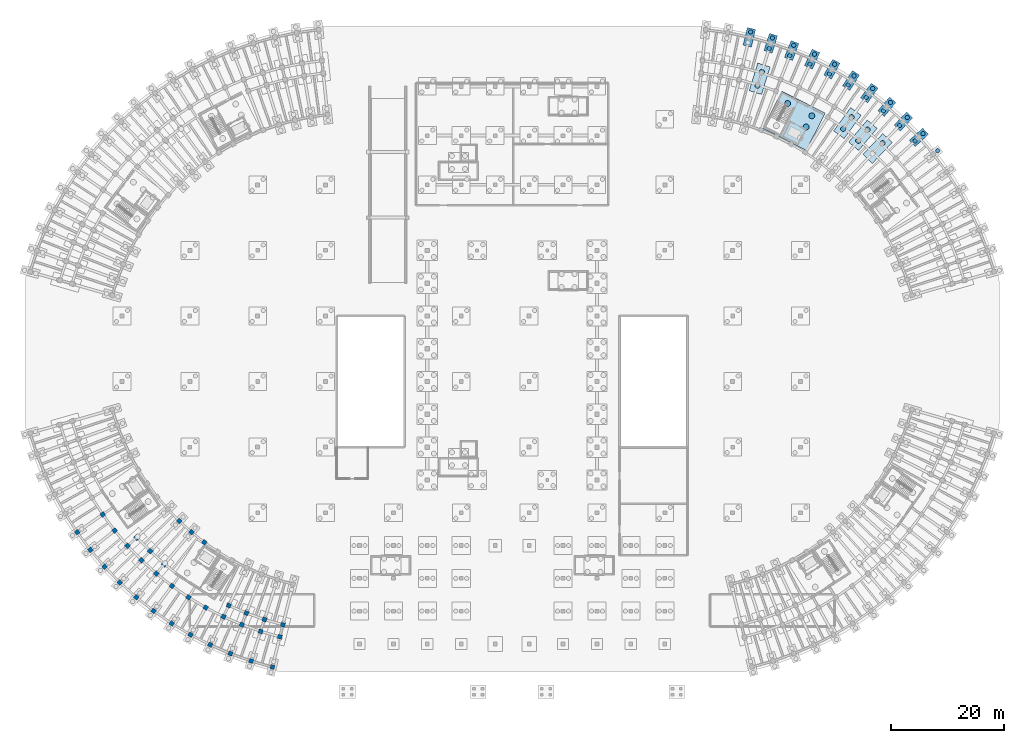
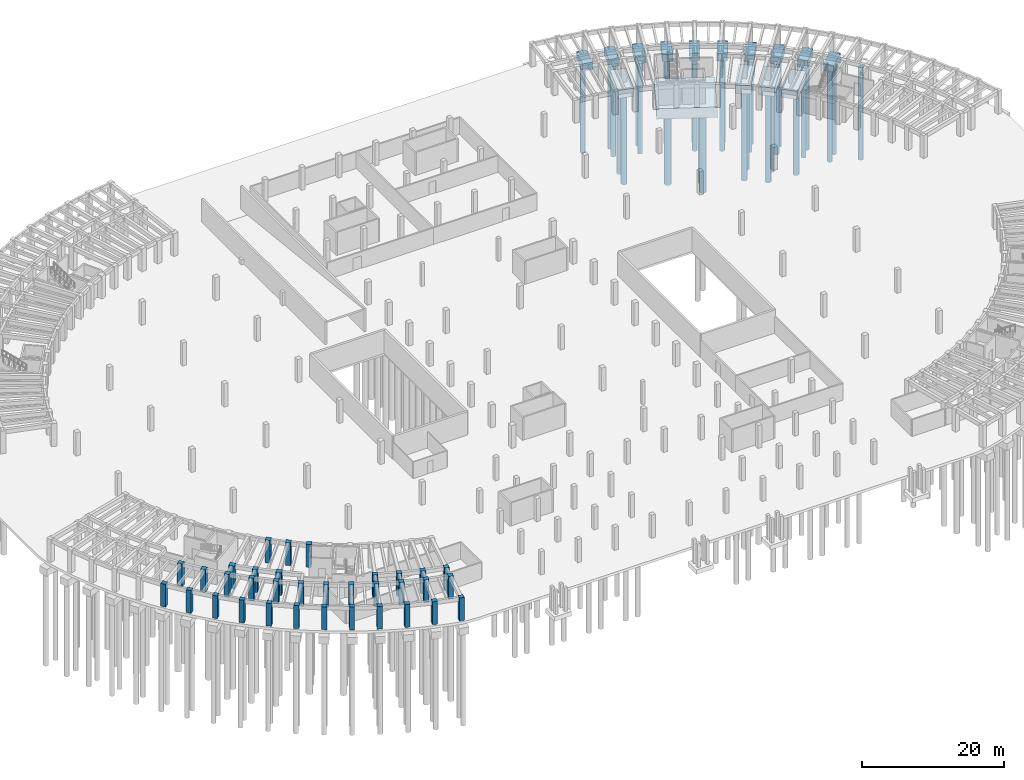
# One storey, part 6 of 29: 34 columns, 30 piles, 15 footings.
"""IFC4 building model written with IfcOpenShell, lengths in metres."""

from ifc_helpers import new_model, si_unit, direction, frame, origin, origin_2d, place, context, subcontext, project, spatial, rectangle, circle, extrude, material, material_profile, profile_set, type_object, element, save


model = new_model("IFC4")

# Units and contexts
model_context = context("Model", 3, precision=1e-05, world=origin(), true_north=direction((0.0, 1.0)))
body_context = subcontext(model_context, "Body", "Model", "MODEL_VIEW")
ifc_project = project(units=[si_unit("LENGTHUNIT", "METRE"), si_unit("AREAUNIT", "SQUARE_METRE"), si_unit("VOLUMEUNIT", "CUBIC_METRE"), si_unit("PLANEANGLEUNIT", "RADIAN"), si_unit("MASSUNIT", "GRAM", prefix="KILO")], contexts=[model_context])

# Site, building, storey
site_placement = place(None, origin())
site = spatial("IfcSite", under=ifc_project, at=site_placement, CompositionType="ELEMENT")
building_placement = place(site_placement, origin())
building = spatial("IfcBuilding", under=site, at=building_placement, Name="Tanwirah Colonnade Gardens", CompositionType="ELEMENT")
storey_placement = place(building_placement, frame((0.0, 0.0, -4.199951171875)))
storey = spatial("IfcBuildingStorey", under=building, at=storey_placement, Name="B1", CompositionType="ELEMENT", Elevation=-4.199951171875)

# Footings
ifc_material_1 = material(Name="Concrete C45/55", Category="concrete")
footing_type_1 = type_object("IfcFootingType", Name="PC-2P75B", PredefinedType="PILE_CAP", material=ifc_material_1)
for number, where, z_axis, x_axis, name in (
    (1, (164.94384765625, 100.388916015625, -1.699951171875), (0.0, 0.0, 1.0), (0.73793204255, 0.674875025896, 0.0), "Footing CAP-B-OUT-07"),
    (2, (162.200439453125, 103.19677734375, -1.699951171875), (0.0, 0.0, 1.0), (0.691863164029, 0.722028643656, 0.0), "Footing CAP-B-OUT-08"),
    (3, (159.278076171875, 105.81787109375, -1.699951171875), (0.0, 0.0, 1.0), (0.642787582947, 0.766044465556, 0.0), "Footing CAP-B-OUT-09"),
    (4, (156.189208984375, 108.24072265625, -1.699951171875), (0.0, 0.0, 1.0), (0.590918572221, 0.806731207407, 0.0), "Footing CAP-B-OUT-10"),
    (5, (152.947509765625, 110.455078125, -1.699951171875), (0.0, 0.0, 1.0), (0.536481544469, 0.843912052553, 0.0), "Footing CAP-B-OUT-11"),
    (6, (149.56689453125, 112.45068359375, -1.699951171875), (0.0, 0.0, 1.0), (0.479713072413, 0.877425420281, 0.0), "Footing CAP-B-OUT-12"),
    (7, (146.062255859375, 114.21923828125, -1.699951171875), (0.0, 0.0, 1.0), (0.420859860775, 0.907125668024, 0.0), "Footing CAP-B-OUT-13"),
    (8, (142.448486328125, 115.753173828125, -1.699951171875), (0.0, 0.0, 1.0), (0.36017767415, 0.932883724289, 0.0), "Footing CAP-B-OUT-14"),
    (9, (138.74169921875, 117.045654296875, -1.699951171875), (0.0, 0.0, 1.0), (0.297930225503, 0.954587649581, 0.0), "Footing CAP-B-OUT-15"),
    (10, (134.957763671875, 118.091064453125, -1.699951171875), (0.0, 0.0, 1.0), (0.234388030122, 0.972143122866, 0.0), "Footing CAP-B-OUT-16"),
):
    element("IfcFooting", number, at=place(storey_placement, frame(where, z_axis=z_axis, x_axis=x_axis)), inside=storey, type_object=footing_type_1, Name=name, PredefinedType="PILE_CAP", context=body_context, shape_type="SweptSolid", body=[
        extrude(rectangle(XDim=3.199951171875, YDim=1.5, at=origin_2d()), origin(), (0.0, 0.0, 1.0), 1.25),
    ])
footing_type_2 = type_object("IfcFootingType", Name="PC-2P90B", PredefinedType="PILE_CAP", material=ifc_material_1)
for number, where, z_axis, x_axis, name in (
    (11, (157.634033203125, 98.431396484375, -1.89990234375), (0.0, 0.0, 1.0), (0.691863164029, 0.722028643656, 0.0), "Footing CAP-B-MD-08"),
    (12, (155.03564453125, 100.761962890625, -1.89990234375), (0.0, 0.0, 1.0), (0.642787582947, 0.766044465556, 0.0), "Footing CAP-B-MD-09"),
    (13, (152.2890625, 102.91650390625, -1.89990234375), (0.0, 0.0, 1.0), (0.590918572221, 0.806731207407, 0.0), "Footing CAP-B-MD-10"),
    (14, (136.775390625, 110.745361328125, -1.89990234375), (0.0, 0.0, 1.0), (0.297930225503, 0.954587649581, 0.0), "Footing CAP-B-MD-15"),
):
    element("IfcFooting", number, at=place(storey_placement, frame(where, z_axis=z_axis, x_axis=x_axis)), inside=storey, type_object=footing_type_2, Name=name, PredefinedType="PILE_CAP", context=body_context, shape_type="SweptSolid", body=[
        extrude(rectangle(XDim=5.10009765625, YDim=2.300048828125, at=origin_2d()), origin(), (0.0, 0.0, 1.0), 1.449951171875),
    ])
footing_type_3 = type_object("IfcFootingType", Name="PC-COREA", PredefinedType="PILE_CAP", material=ifc_material_1)
footing_placement = place(storey_placement, frame((142.861328125, 103.32568359375, -2.25), z_axis=(0.0, 0.0, 1.0), x_axis=(-0.45399049974, -0.891006524188, 0.0)))
element("IfcFooting", 15, at=footing_placement, inside=storey, type_object=footing_type_3, Name="Footing CAP-CORE-B2", PredefinedType="PILE_CAP", context=body_context, shape_type="SweptSolid", body=[
    extrude(rectangle(XDim=7.39990234375, YDim=8.60009765625, at=origin_2d()), origin(), (0.0, 0.0, 1.0), 1.800048828125),
])

# Piles
ifc_material_profile_1 = material_profile(ifc_material_1, circle(Radius=0.52490234375, at=origin_2d()), Name="PILE D1050")
ifc_profile_set_1 = profile_set([ifc_material_profile_1], Name="Concrete C45/55")
pile_type_1 = type_object("IfcPileType", Name="PILE-D1050", PredefinedType="BORED", material=ifc_profile_set_1)
for number, where, z_axis, x_axis, name in (
    (16, (141.7216796875, 106.375244140625, -2.130126953125), (0.0, 0.0, -1.0), (1.0, 0.0, 0.0), "Bored pile CAP-CORE-B2-P1"),
    (17, (145.99853515625, 104.1962890625, -2.130126953125), (0.0, 0.0, -1.0), (1.0, 0.0, 0.0), "Bored pile CAP-CORE-B2-P4"),
    (18, (144.999755859375, 102.236083984375, -2.130126953125), (0.0, 0.0, -1.0), (1.0, 0.0, 0.0), "Bored pile CAP-CORE-B2-P5"),
):
    element("IfcPile", number, at=place(storey_placement, frame(where, z_axis=z_axis, x_axis=x_axis)), inside=storey, type_object=pile_type_1, Name=name, PredefinedType="BORED", context=body_context, shape_type="SweptSolid", body=[
        extrude(circle(Radius=0.52490234375, at=origin_2d()), origin(), (0.0, 0.0, 1.0), 15.320068359375),
    ])
ifc_material_profile_2 = material_profile(ifc_material_1, circle(Radius=0.375, at=origin_2d()), Name="PILE D750")
ifc_profile_set_2 = profile_set([ifc_material_profile_2], Name="Concrete C45/55")
pile_type_2 = type_object("IfcPileType", Name="PILE-D750", PredefinedType="BORED", material=ifc_profile_set_2)
for number, where, z_axis, x_axis, name in (
    (19, (168.257568359375, 98.015380859375, -1.580078125), (0.0, 0.0, -1.0), (1.0, 0.0, 0.0), "Bored pile CAP-B-OUT-06-P2"),
    (20, (164.224365234375, 99.730712890625, -1.580078125), (0.0, 0.0, -1.0), (1.0, 0.0, 0.0), "Bored pile CAP-B-OUT-07-P1"),
    (21, (165.663330078125, 101.046875, -1.580078125), (0.0, 0.0, -1.0), (1.0, 0.0, 0.0), "Bored pile CAP-B-OUT-07-P2"),
    (22, (161.52587890625, 102.492919921875, -1.580078125), (0.0, 0.0, -1.0), (1.0, 0.0, 0.0), "Bored pile CAP-B-OUT-08-P1"),
    (23, (162.875, 103.90087890625, -1.580078125), (0.0, 0.0, -1.0), (1.0, 0.0, 0.0), "Bored pile CAP-B-OUT-08-P2"),
    (24, (158.6513671875, 105.071044921875, -1.580078125), (0.0, 0.0, -1.0), (1.0, 0.0, 0.0), "Bored pile CAP-B-OUT-09-P1"),
    (25, (159.90478515625, 106.56494140625, -1.580078125), (0.0, 0.0, -1.0), (1.0, 0.0, 0.0), "Bored pile CAP-B-OUT-09-P2"),
    (26, (155.613037109375, 107.454345703125, -1.580078125), (0.0, 0.0, -1.0), (1.0, 0.0, 0.0), "Bored pile CAP-B-OUT-10-P1"),
    (27, (156.765380859375, 109.02734375, -1.580078125), (0.0, 0.0, -1.0), (1.0, 0.0, 0.0), "Bored pile CAP-B-OUT-10-P2"),
    (28, (152.42431640625, 109.632080078125, -1.580078125), (0.0, 0.0, -1.0), (1.0, 0.0, 0.0), "Bored pile CAP-B-OUT-11-P1"),
    (29, (153.470458984375, 111.27783203125, -1.580078125), (0.0, 0.0, -1.0), (1.0, 0.0, 0.0), "Bored pile CAP-B-OUT-11-P2"),
    (30, (149.09912109375, 111.59521484375, -1.580078125), (0.0, 0.0, -1.0), (1.0, 0.0, 0.0), "Bored pile CAP-B-OUT-12-P1"),
    (31, (150.03466796875, 113.30615234375, -1.580078125), (0.0, 0.0, -1.0), (1.0, 0.0, 0.0), "Bored pile CAP-B-OUT-12-P2"),
    (32, (145.65185546875, 113.3349609375, -1.580078125), (0.0, 0.0, -1.0), (1.0, 0.0, 0.0), "Bored pile CAP-B-OUT-13-P1"),
    (33, (146.47265625, 115.103759765625, -1.580078125), (0.0, 0.0, -1.0), (1.0, 0.0, 0.0), "Bored pile CAP-B-OUT-13-P2"),
    (34, (142.097412109375, 114.84375, -1.580078125), (0.0, 0.0, -1.0), (1.0, 0.0, 0.0), "Bored pile CAP-B-OUT-14-P1"),
    (35, (142.7998046875, 116.662841796875, -1.580078125), (0.0, 0.0, -1.0), (1.0, 0.0, 0.0), "Bored pile CAP-B-OUT-14-P2"),
    (36, (138.451171875, 116.114990234375, -1.580078125), (0.0, 0.0, -1.0), (1.0, 0.0, 0.0), "Bored pile CAP-B-OUT-15-P1"),
    (37, (139.0322265625, 117.976318359375, -1.580078125), (0.0, 0.0, -1.0), (1.0, 0.0, 0.0), "Bored pile CAP-B-OUT-15-P2"),
    (38, (135.186279296875, 119.0390625, -1.580078125), (0.0, 0.0, -1.0), (1.0, 0.0, 0.0), "Bored pile CAP-B-OUT-16-P2"),
):
    element("IfcPile", number, at=place(storey_placement, frame(where, z_axis=z_axis, x_axis=x_axis)), inside=storey, type_object=pile_type_2, Name=name, PredefinedType="BORED", context=body_context, shape_type="SweptSolid", body=[
        extrude(circle(Radius=0.375, at=origin_2d()), origin(), (0.0, 0.0, 1.0), 15.8701171875),
    ])
ifc_material_profile_3 = material_profile(ifc_material_1, circle(Radius=0.449951171875, at=origin_2d()), Name="PILE D900")
ifc_profile_set_3 = profile_set([ifc_material_profile_3], Name="Concrete C45/55")
pile_type_3 = type_object("IfcPileType", Name="PILE-D900", PredefinedType="BORED", material=ifc_profile_set_3)
for number, where, z_axis, x_axis, name in (
    (39, (158.53369140625, 99.3701171875, -1.780029296875), (0.0, 0.0, -1.0), (1.0, 0.0, 0.0), "Bored pile CAP-B-MD-08-P2"),
    (40, (154.199951171875, 99.76611328125, -1.780029296875), (0.0, 0.0, -1.0), (1.0, 0.0, 0.0), "Bored pile CAP-B-MD-09-P1"),
    (41, (155.871337890625, 101.7578125, -1.780029296875), (0.0, 0.0, -1.0), (1.0, 0.0, 0.0), "Bored pile CAP-B-MD-09-P2"),
    (42, (151.52099609375, 101.86767578125, -1.780029296875), (0.0, 0.0, -1.0), (1.0, 0.0, 0.0), "Bored pile CAP-B-MD-10-P1"),
    (43, (153.057373046875, 103.965087890625, -1.780029296875), (0.0, 0.0, -1.0), (1.0, 0.0, 0.0), "Bored pile CAP-B-MD-10-P2"),
    (44, (136.38818359375, 109.50439453125, -1.780029296875), (0.0, 0.0, -1.0), (1.0, 0.0, 0.0), "Bored pile CAP-B-MD-15-P1"),
    (45, (137.16259765625, 111.986328125, -1.780029296875), (0.0, 0.0, -1.0), (1.0, 0.0, 0.0), "Bored pile CAP-B-MD-15-P2"),
):
    element("IfcPile", number, at=place(storey_placement, frame(where, z_axis=z_axis, x_axis=x_axis)), inside=storey, type_object=pile_type_3, Name=name, PredefinedType="BORED", context=body_context, shape_type="SweptSolid", body=[
        extrude(circle(Radius=0.449951171875, at=origin_2d()), origin(), (0.0, 0.0, 1.0), 15.669921875),
    ])

# Columns
ifc_material_profile_4 = material_profile(ifc_material_1, rectangle(XDim=0.75, YDim=0.75, at=origin_2d()), Name="RC-COL 750x750")
ifc_profile_set_4 = profile_set([ifc_material_profile_4], Name="Concrete C45/55")
column_type_1 = type_object("IfcColumnType", Name="C-RC750", PredefinedType="COLUMN", material=ifc_profile_set_4)
for number, where, z_axis, x_axis, name in (
    (46, (20.590087890625, 33.691650390625, 0.0), (0.0, 0.0, 1.0), (-0.821646937942, -0.569996762596, 0.0), "Block C B1 Column 5-R2"),
    (47, (16.071044921875, 30.556640625, 0.0), (0.0, 0.0, 1.0), (-0.821646937942, -0.569996762596, 0.0), "Block C B1 Column 5-R3"),
    (48, (22.699951171875, 30.85302734375, 0.0), (0.0, 0.0, 1.0), (-0.782608156852, -0.622514636638, 0.0), "Block C B1 Column 6-R2"),
    (49, (18.395751953125, 27.42919921875, 0.0), (0.0, 0.0, 1.0), (-0.782608156852, -0.622514636638, 0.0), "Block C B1 Column 6-R3"),
    (50, (24.9912109375, 28.15869140625, 0.0), (0.0, 0.0, 1.0), (-0.740218127487, -0.672366807435, 0.0), "Block C B1 Column 7-R2"),
    (51, (20.919921875, 24.46044921875, 0.0), (0.0, 0.0, 1.0), (-0.740218127487, -0.672366807435, 0.0), "Block C B1 Column 7-R3"),
    (52, (34.122314453125, 32.525390625, 0.0), (0.0, 0.0, 1.0), (-0.694658370459, -0.719339800339, 0.0), "Block C B1 Column 8-R0"),
    (53, (28.98193359375, 27.2021484375, 0.0), (0.0, 0.0, 1.0), (-0.694658370459, -0.719339800339, 0.0), "Block C B1 Column 8-R1"),
    (54, (27.45361328125, 25.61962890625, 0.0), (0.0, 0.0, 1.0), (-0.694658370459, -0.719339800339, 0.0), "Block C B1 Column 8-R2"),
    (55, (23.633056640625, 21.663330078125, 0.0), (0.0, 0.0, 1.0), (-0.694658370459, -0.719339800339, 0.0), "Block C B1 Column 8-R3"),
    (56, (36.27978515625, 30.57421875, 0.0), (0.0, 0.0, 1.0), (-0.646123979643, -0.763232469783, 0.0), "Block C B1 Column 9-R0"),
    (57, (30.076904296875, 23.247314453125, 0.0), (0.0, 0.0, 1.0), (-0.646123979643, -0.763232469783, 0.0), "Block C B1 Column 9-R2"),
    (58, (26.5234375, 19.049560546875, 0.0), (0.0, 0.0, 1.0), (-0.646123979643, -0.763232469783, 0.0), "Block C B1 Column 9-R3"),
    (59, (38.56005859375, 28.7685546875, 0.0), (0.0, 0.0, 1.0), (-0.594822786751, -0.803856860617, 0.0), "Block C B1 Column 10-R0"),
    (60, (32.849853515625, 21.051513671875, 0.0), (0.0, 0.0, 1.0), (-0.594822786751, -0.803856860617, 0.0), "Block C B1 Column 10-R2"),
    (61, (29.578369140625, 16.63037109375, 0.0), (0.0, 0.0, 1.0), (-0.594822786751, -0.803856860617, 0.0), "Block C B1 Column 10-R3"),
    (62, (35.76025390625, 19.041748046875, 0.0), (0.0, 0.0, 1.0), (-0.540974471368, -0.841039012964, 0.0), "Block C B1 Column 11-R2"),
    (63, (32.784912109375, 14.416015625, 0.0), (0.0, 0.0, 1.0), (-0.540974471368, -0.841039012964, 0.0), "Block C B1 Column 11-R3"),
    (64, (38.796142578125, 17.226806640625, 0.0), (0.0, 0.0, 1.0), (-0.484809620246, -0.874619707139, 0.0), "Block C B1 Column 12-R2"),
    (65, (36.129638671875, 12.41650390625, 0.0), (0.0, 0.0, 1.0), (-0.484809620246, -0.874619707139, 0.0), "Block C B1 Column 12-R3"),
    (66, (42.88232421875, 17.60400390625, 0.0), (0.0, 0.0, 1.0), (-0.426568739901, -0.904455145454, 0.0), "Block C B1 Column 13-R1"),
    (67, (41.94384765625, 15.6142578125, 0.0), (0.0, 0.0, 1.0), (-0.426568739901, -0.904455145454, 0.0), "Block C B1 Column 13-R2"),
    (68, (39.597900390625, 10.6396484375, 0.0), (0.0, 0.0, 1.0), (-0.426568739901, -0.904455145454, 0.0), "Block C B1 Column 13-R3"),
    (69, (45.996826171875, 16.2578125, 0.0), (0.0, 0.0, 1.0), (-0.366501226724, -0.930417567982, 0.0), "Block C B1 Column 14-R1"),
    (70, (45.190673828125, 14.2109375, 0.0), (0.0, 0.0, 1.0), (-0.366501226724, -0.930417567982, 0.0), "Block C B1 Column 14-R2"),
    (71, (43.1748046875, 9.09375, 0.0), (0.0, 0.0, 1.0), (-0.366501226724, -0.930417567982, 0.0), "Block C B1 Column 14-R3"),
    (72, (49.19287109375, 15.1181640625, 0.0), (0.0, 0.0, 1.0), (-0.304864299028, -0.952395799643, 0.0), "Block C B1 Column 15-R1"),
    (73, (48.52197265625, 13.02294921875, 0.0), (0.0, 0.0, 1.0), (-0.304864299028, -0.952395799643, 0.0), "Block C B1 Column 15-R2"),
    (74, (46.84521484375, 7.784912109375, 0.0), (0.0, 0.0, 1.0), (-0.304864299028, -0.952395799643, 0.0), "Block C B1 Column 15-R3"),
    (75, (52.456298828125, 14.190185546875, 0.0), (0.0, 0.0, 1.0), (-0.2419218956, -0.970295726276, 0.0), "Block C B1 Column 16-R1"),
    (76, (51.924072265625, 12.055419921875, 0.0), (0.0, 0.0, 1.0), (-0.2419218956, -0.970295726276, 0.0), "Block C B1 Column 16-R2"),
    (77, (50.593505859375, 6.718994140625, 0.0), (0.0, 0.0, 1.0), (-0.2419218956, -0.970295726276, 0.0), "Block C B1 Column 16-R3"),
):
    element("IfcColumn", number, at=place(storey_placement, frame(where, z_axis=z_axis, x_axis=x_axis)), inside=storey, type_object=column_type_1, Name=name, PredefinedType="COLUMN", context=body_context, shape_type="SweptSolid", body=[
        extrude(rectangle(XDim=0.75, YDim=0.75, at=origin_2d()), origin(), (0.0, 0.0, 1.0), 3.919921875),
    ])
ifc_material_2 = material(Name="Concrete C50/60", Category="concrete")
ifc_material_profile_5 = material_profile(ifc_material_2, rectangle(XDim=0.85009765625, YDim=0.85009765625, at=origin_2d()), Name="RC-COL 850x850")
ifc_profile_set_5 = profile_set([ifc_material_profile_5], Name="Concrete C50/60")
column_type_2 = type_object("IfcColumnType", Name="C-RC850", PredefinedType="COLUMN", material=ifc_profile_set_5)
for number, where, z_axis, x_axis, name in (
    (78, (26.61962890625, 29.6376953125, 0.0), (0.0, 0.0, 1.0), (-0.740218127487, -0.672366807435, 0.0), "Block C B1 Column 7-R1"),
    (79, (31.49853515625, 24.926513671875, 0.0), (0.0, 0.0, 1.0), (-0.646123979643, -0.763232469783, 0.0), "Block C B1 Column 9-R1"),
):
    element("IfcColumn", number, at=place(storey_placement, frame(where, z_axis=z_axis, x_axis=x_axis)), inside=storey, type_object=column_type_2, Name=name, PredefinedType="COLUMN", context=body_context, shape_type="SweptSolid", body=[
        extrude(rectangle(XDim=0.85009765625, YDim=0.85009765625, at=origin_2d()), origin(), (0.0, 0.0, 1.0), 3.919921875),
    ])

save(model, "model.ifc")
